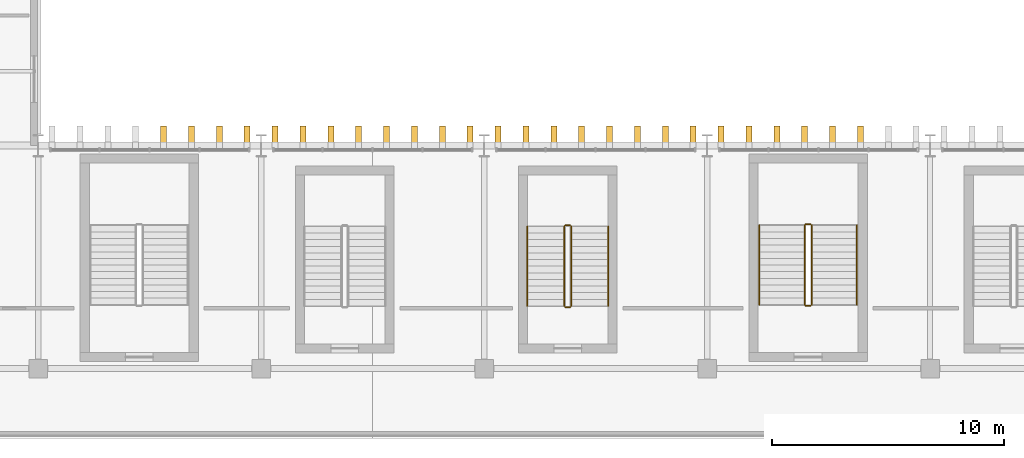
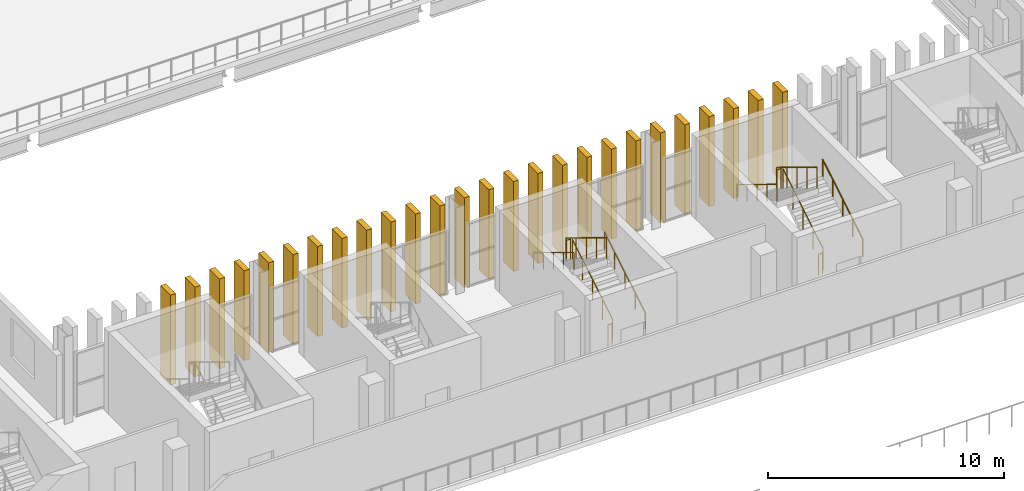
# One storey, part 69 of 75: 26 coverings, 12 railings.
"""IFC4 building model written with IfcOpenShell, lengths in metres."""

from ifc_helpers import new_model, si_unit, direction, frame, origin, origin_2d, place, context, subcontext, project, spatial, rectangle, circle, extrude, material, material_profile, profile_set, type_object, element, save


model = new_model("IFC4")

# Units and contexts
model_context = context("Model", 3, precision=1e-05, world=origin(), true_north=direction((0.0, 1.0)))
body_context = subcontext(model_context, "Body", "Model", "MODEL_VIEW")
ifc_project = project(units=[si_unit("LENGTHUNIT", "METRE"), si_unit("AREAUNIT", "SQUARE_METRE"), si_unit("VOLUMEUNIT", "CUBIC_METRE"), si_unit("PLANEANGLEUNIT", "RADIAN"), si_unit("MASSUNIT", "GRAM", prefix="KILO")], contexts=[model_context])

# Site, building, storey
site_placement = place(None, origin())
site = spatial("IfcSite", under=ifc_project, at=site_placement, CompositionType="ELEMENT")
building_placement = place(site_placement, origin())
building = spatial("IfcBuilding", under=site, at=building_placement, Name="Caelomonte Colonnade Arena", CompositionType="ELEMENT")
storey_placement = place(building_placement, frame((0.0, 0.0, 14.10009765625)))
storey = spatial("IfcBuildingStorey", under=building, at=storey_placement, Name="L03", CompositionType="ELEMENT", Elevation=14.10009765625)

# Coverings
ifc_material_1 = material(Name="Precast travertine cladding", Category="masonry")
ifc_material_profile = material_profile(ifc_material_1, rectangle(XDim=0.260009765625, YDim=0.85009765625, at=origin_2d()), Name="FIN260X850")
ifc_profile_set = profile_set([ifc_material_profile], Name="Precast travertine cladding")
covering_type = type_object("IfcCoveringType", Name="ENV-FN-SHAFT", PredefinedType="CLADDING", material=ifc_profile_set)
for number, where, z_axis, x_axis, name in (
    (1, (131.39990234375, 115.62109375, -0.16015625), (0.0, 0.0, 1.0), (1.0, 0.0, 0.0), "V1 L03 classical travertine vertical fin 102"),
    (2, (130.199951171875, 115.62109375, -0.16015625), (0.0, 0.0, 1.0), (1.0, 0.0, 0.0), "V1 L03 classical travertine vertical fin 103"),
    (3, (129.0, 115.62109375, -0.16015625), (0.0, 0.0, 1.0), (1.0, 0.0, 0.0), "V1 L03 classical travertine vertical fin 104"),
    (4, (127.800048828125, 115.62109375, -0.16015625), (0.0, 0.0, 1.0), (1.0, 0.0, 0.0), "V1 L03 classical travertine vertical fin 105"),
    (5, (126.60009765625, 115.62109375, -0.16015625), (0.0, 0.0, 1.0), (1.0, 0.0, 0.0), "V1 L03 classical travertine vertical fin 106"),
    (6, (125.39990234375, 115.62109375, -0.16015625), (0.0, 0.0, 1.0), (1.0, 0.0, 0.0), "V1 L03 classical travertine vertical fin 107"),
    (7, (124.199951171875, 115.62109375, -0.16015625), (0.0, 0.0, 1.0), (1.0, 0.0, 0.0), "V1 L03 classical travertine vertical fin 108"),
    (8, (123.0, 115.62109375, -0.16015625), (0.0, 0.0, 1.0), (1.0, 0.0, 0.0), "V1 L03 classical travertine vertical fin 109"),
    (9, (121.800048828125, 115.62109375, -0.16015625), (0.0, 0.0, 1.0), (1.0, 0.0, 0.0), "V1 L03 classical travertine vertical fin 110"),
    (10, (120.60009765625, 115.62109375, -0.16015625), (0.0, 0.0, 1.0), (1.0, 0.0, 0.0), "V1 L03 classical travertine vertical fin 111"),
    (11, (119.39990234375, 115.62109375, -0.16015625), (0.0, 0.0, 1.0), (1.0, 0.0, 0.0), "V1 L03 classical travertine vertical fin 112"),
    (12, (118.199951171875, 115.62109375, -0.16015625), (0.0, 0.0, 1.0), (1.0, 0.0, 0.0), "V1 L03 classical travertine vertical fin 113"),
    (13, (117.0, 115.62109375, -0.16015625), (0.0, 0.0, 1.0), (1.0, 0.0, 0.0), "V1 L03 classical travertine vertical fin 114"),
    (14, (115.800048828125, 115.62109375, -0.16015625), (0.0, 0.0, 1.0), (1.0, 0.0, 0.0), "V1 L03 classical travertine vertical fin 115"),
    (15, (114.60009765625, 115.62109375, -0.16015625), (0.0, 0.0, 1.0), (1.0, 0.0, 0.0), "V1 L03 classical travertine vertical fin 116"),
    (16, (113.39990234375, 115.62109375, -0.16015625), (0.0, 0.0, 1.0), (1.0, 0.0, 0.0), "V1 L03 classical travertine vertical fin 117"),
    (17, (112.199951171875, 115.62109375, -0.16015625), (0.0, 0.0, 1.0), (1.0, 0.0, 0.0), "V1 L03 classical travertine vertical fin 118"),
    (18, (111.0, 115.62109375, -0.16015625), (0.0, 0.0, 1.0), (1.0, 0.0, 0.0), "V1 L03 classical travertine vertical fin 119"),
    (19, (109.800048828125, 115.62109375, -0.16015625), (0.0, 0.0, 1.0), (1.0, 0.0, 0.0), "V1 L03 classical travertine vertical fin 120"),
    (20, (108.60009765625, 115.62109375, -0.16015625), (0.0, 0.0, 1.0), (1.0, 0.0, 0.0), "V1 L03 classical travertine vertical fin 121"),
    (21, (107.39990234375, 115.62109375, -0.16015625), (0.0, 0.0, 1.0), (1.0, 0.0, 0.0), "V1 L03 classical travertine vertical fin 122"),
    (22, (106.199951171875, 115.62109375, -0.16015625), (0.0, 0.0, 1.0), (1.0, 0.0, 0.0), "V1 L03 classical travertine vertical fin 123"),
    (23, (105.0, 115.62109375, -0.16015625), (0.0, 0.0, 1.0), (1.0, 0.0, 0.0), "V1 L03 classical travertine vertical fin 124"),
    (24, (103.800048828125, 115.62109375, -0.16015625), (0.0, 0.0, 1.0), (1.0, 0.0, 0.0), "V1 L03 classical travertine vertical fin 125"),
    (25, (102.60009765625, 115.62109375, -0.16015625), (0.0, 0.0, 1.0), (1.0, 0.0, 0.0), "V1 L03 classical travertine vertical fin 126"),
    (26, (101.39990234375, 115.62109375, -0.16015625), (0.0, 0.0, 1.0), (1.0, 0.0, 0.0), "V1 L03 classical travertine vertical fin 127"),
):
    element("IfcCovering", number, at=place(storey_placement, frame(where, z_axis=z_axis, x_axis=x_axis)), inside=storey, type_object=covering_type, Name=name, PredefinedType="CLADDING", context=body_context, shape_type="SweptSolid", body=[
        extrude(rectangle(XDim=0.260009765625, YDim=0.85009765625, at=origin_2d()), origin(), (0.0, 0.0, 1.0), 4.66015625),
    ])

# Railings
ifc_material_2 = material(Name="Painted galvanized steel stair guard", Category="steel")
railing_type_1 = type_object("IfcRailingType", Name="INT-RL-GRD", PredefinedType="GUARDRAIL", material=ifc_material_2)
railing_1_placement = place(storey_placement, frame((129.300048828125, 108.35009765625, 0.173095703125)))
element("IfcRailing", 27, at=railing_1_placement, inside=storey, type_object=railing_type_1, Name="L03 ST-16 stair guard 1", PredefinedType="GUARDRAIL", context=body_context, shape_type="SweptSolid", body=[
    extrude(circle(Radius=0.02392578125, at=origin_2d()), frame((0.0, 0.0, 1.076171875), z_axis=(0.0, 0.854729506542, 0.519073665916), x_axis=(-1.0, 0.0, 0.0)), (0.0, 0.0, 1.0), 4.001220703125),
    extrude(circle(Radius=0.02099609375, at=origin_2d()), origin(), (0.0, 0.0, 1.0), 1.048095703125),
    extrude(circle(Radius=0.02099609375, at=origin_2d()), frame((0.0, 0.85498046875, 0.519287109375)), (0.0, 0.0, 1.0), 1.048095703125),
    extrude(circle(Radius=0.02099609375, at=origin_2d()), frame((0.0, 1.7099609375, 1.03857421875)), (0.0, 0.0, 1.0), 1.048095703125),
    extrude(circle(Radius=0.02099609375, at=origin_2d()), frame((0.0, 2.56494140625, 1.5576171875)), (0.0, 0.0, 1.0), 1.048095703125),
    extrude(circle(Radius=0.02099609375, at=origin_2d()), frame((0.0, 3.419921875, 2.076904296875)), (0.0, 0.0, 1.0), 1.048095703125),
])
railing_2_placement = place(storey_placement, frame((129.25, 111.820068359375, 2.25)))
element("IfcRailing", 28, at=railing_2_placement, inside=storey, type_object=railing_type_1, Name="L03 ST-16 stair guard 2", PredefinedType="GUARDRAIL", context=body_context, shape_type="SweptSolid", body=[
    extrude(circle(Radius=0.02392578125, at=origin_2d()), frame((0.0, 0.0, 1.076171875), z_axis=(-1.0, 0.0, 0.0), x_axis=(0.0, -1.0, 0.0)), (0.0, 0.0, 1.0), 0.199951171875),
    extrude(circle(Radius=0.02099609375, at=origin_2d()), origin(), (0.0, 0.0, 1.0), 1.048095703125),
    extrude(circle(Radius=0.02099609375, at=origin_2d()), frame((-0.199951171875, 0.0, 0.0)), (0.0, 0.0, 1.0), 1.048095703125),
])
railing_3_placement = place(storey_placement, frame((129.0, 111.77001953125, 2.423095703125)))
element("IfcRailing", 29, at=railing_3_placement, inside=storey, type_object=railing_type_1, Name="L03 ST-16 stair guard 3", PredefinedType="GUARDRAIL", context=body_context, shape_type="SweptSolid", body=[
    extrude(circle(Radius=0.02392578125, at=origin_2d()), frame((0.0, 0.0, 1.076171875), z_axis=(0.0, -0.854729506542, 0.519073665916), x_axis=(1.0, 0.0, 0.0)), (0.0, 0.0, 1.0), 4.001220703125),
    extrude(circle(Radius=0.02099609375, at=origin_2d()), origin(), (0.0, 0.0, 1.0), 1.048095703125),
    extrude(circle(Radius=0.02099609375, at=origin_2d()), frame((0.0, -0.85498046875, 0.519287109375)), (0.0, 0.0, 1.0), 1.048095703125),
    extrude(circle(Radius=0.02099609375, at=origin_2d()), frame((0.0, -1.7099609375, 1.03857421875)), (0.0, 0.0, 1.0), 1.048095703125),
    extrude(circle(Radius=0.02099609375, at=origin_2d()), frame((0.0, -2.56494140625, 1.5576171875)), (0.0, 0.0, 1.0), 1.048095703125),
    extrude(circle(Radius=0.02099609375, at=origin_2d()), frame((0.0, -3.419921875, 2.076904296875)), (0.0, 0.0, 1.0), 1.048095703125),
])
railing_4_placement = place(storey_placement, frame((129.25, 108.300048828125, 0.0)))
element("IfcRailing", 30, at=railing_4_placement, inside=storey, type_object=railing_type_1, Name="L03 ST-16 stair guard 4", PredefinedType="GUARDRAIL", context=body_context, shape_type="SweptSolid", body=[
    extrude(circle(Radius=0.02392578125, at=origin_2d()), frame((0.0, 0.0, 1.076171875), z_axis=(-1.0, 0.0, 0.0), x_axis=(0.0, -1.0, 0.0)), (0.0, 0.0, 1.0), 0.199951171875),
    extrude(circle(Radius=0.02099609375, at=origin_2d()), origin(), (0.0, 0.0, 1.0), 1.048095703125),
    extrude(circle(Radius=0.02099609375, at=origin_2d()), frame((-0.199951171875, 0.0, 0.0)), (0.0, 0.0, 1.0), 1.048095703125),
])
railing_5_placement = place(storey_placement, frame((118.949951171875, 108.300048828125, 0.173095703125)))
element("IfcRailing", 31, at=railing_5_placement, inside=storey, type_object=railing_type_1, Name="L03 ST-V15 stair guard 1", PredefinedType="GUARDRAIL", context=body_context, shape_type="SweptSolid", body=[
    extrude(circle(Radius=0.02392578125, at=origin_2d()), frame((0.0, 0.0, 1.076171875), z_axis=(0.0, 0.854729506542, 0.519073665916), x_axis=(-1.0, 0.0, 0.0)), (0.0, 0.0, 1.0), 4.001220703125),
    extrude(circle(Radius=0.02099609375, at=origin_2d()), origin(), (0.0, 0.0, 1.0), 1.048095703125),
    extrude(circle(Radius=0.02099609375, at=origin_2d()), frame((0.0, 0.85498046875, 0.519287109375)), (0.0, 0.0, 1.0), 1.048095703125),
    extrude(circle(Radius=0.02099609375, at=origin_2d()), frame((0.0, 1.7099609375, 1.03857421875)), (0.0, 0.0, 1.0), 1.048095703125),
    extrude(circle(Radius=0.02099609375, at=origin_2d()), frame((0.0, 2.56494140625, 1.5576171875)), (0.0, 0.0, 1.0), 1.048095703125),
    extrude(circle(Radius=0.02099609375, at=origin_2d()), frame((0.0, 3.419921875, 2.076904296875)), (0.0, 0.0, 1.0), 1.048095703125),
])
railing_6_placement = place(storey_placement, frame((118.89990234375, 111.77001953125, 2.25)))
element("IfcRailing", 32, at=railing_6_placement, inside=storey, type_object=railing_type_1, Name="L03 ST-V15 stair guard 2", PredefinedType="GUARDRAIL", context=body_context, shape_type="SweptSolid", body=[
    extrude(circle(Radius=0.02392578125, at=origin_2d()), frame((0.0, 0.0, 1.076171875), z_axis=(-1.0, 0.0, 0.0), x_axis=(0.0, -1.0, 0.0)), (0.0, 0.0, 1.0), 0.199951171875),
    extrude(circle(Radius=0.02099609375, at=origin_2d()), origin(), (0.0, 0.0, 1.0), 1.048095703125),
    extrude(circle(Radius=0.02099609375, at=origin_2d()), frame((-0.199951171875, 0.0, 0.0)), (0.0, 0.0, 1.0), 1.048095703125),
])
railing_7_placement = place(storey_placement, frame((118.64990234375, 111.719970703125, 2.423095703125)))
element("IfcRailing", 33, at=railing_7_placement, inside=storey, type_object=railing_type_1, Name="L03 ST-V15 stair guard 3", PredefinedType="GUARDRAIL", context=body_context, shape_type="SweptSolid", body=[
    extrude(circle(Radius=0.02392578125, at=origin_2d()), frame((0.0, 0.0, 1.076171875), z_axis=(0.0, -0.854729506542, 0.519073665916), x_axis=(1.0, 0.0, 0.0)), (0.0, 0.0, 1.0), 4.001220703125),
    extrude(circle(Radius=0.02099609375, at=origin_2d()), origin(), (0.0, 0.0, 1.0), 1.048095703125),
    extrude(circle(Radius=0.02099609375, at=origin_2d()), frame((0.0, -0.85498046875, 0.519287109375)), (0.0, 0.0, 1.0), 1.048095703125),
    extrude(circle(Radius=0.02099609375, at=origin_2d()), frame((0.0, -1.7099609375, 1.03857421875)), (0.0, 0.0, 1.0), 1.048095703125),
    extrude(circle(Radius=0.02099609375, at=origin_2d()), frame((0.0, -2.56494140625, 1.5576171875)), (0.0, 0.0, 1.0), 1.048095703125),
    extrude(circle(Radius=0.02099609375, at=origin_2d()), frame((0.0, -3.419921875, 2.076904296875)), (0.0, 0.0, 1.0), 1.048095703125),
])
railing_8_placement = place(storey_placement, frame((118.89990234375, 108.25, 0.0)))
element("IfcRailing", 34, at=railing_8_placement, inside=storey, type_object=railing_type_1, Name="L03 ST-V15 stair guard 4", PredefinedType="GUARDRAIL", context=body_context, shape_type="SweptSolid", body=[
    extrude(circle(Radius=0.02392578125, at=origin_2d()), frame((0.0, 0.0, 1.076171875), z_axis=(-1.0, 0.0, 0.0), x_axis=(0.0, -1.0, 0.0)), (0.0, 0.0, 1.0), 0.199951171875),
    extrude(circle(Radius=0.02099609375, at=origin_2d()), origin(), (0.0, 0.0, 1.0), 1.048095703125),
    extrude(circle(Radius=0.02099609375, at=origin_2d()), frame((-0.199951171875, 0.0, 0.0)), (0.0, 0.0, 1.0), 1.048095703125),
])
ifc_material_3 = material(Name="Brushed stainless steel stair handrail", Category="steel")
railing_type_2 = type_object("IfcRailingType", Name="INT-RL-HR", PredefinedType="HANDRAIL", material=ifc_material_3)
railing_9_placement = place(storey_placement, frame((131.25, 108.35009765625, 0.173095703125)))
element("IfcRailing", 35, at=railing_9_placement, inside=storey, type_object=railing_type_2, Name="L03 ST-16 stair handrail 1", PredefinedType="HANDRAIL", context=body_context, shape_type="SweptSolid", body=[
    extrude(circle(Radius=0.02392578125, at=origin_2d()), frame((0.0, 0.0, 0.8759765625), z_axis=(0.0, 0.854729506542, 0.519073665916), x_axis=(-1.0, 0.0, 0.0)), (0.0, 0.0, 1.0), 4.001220703125),
    extrude(circle(Radius=0.02099609375, at=origin_2d()), origin(), (0.0, 0.0, 1.0), 0.847900390625),
    extrude(circle(Radius=0.02099609375, at=origin_2d()), frame((0.0, 0.85498046875, 0.519287109375)), (0.0, 0.0, 1.0), 0.847900390625),
    extrude(circle(Radius=0.02099609375, at=origin_2d()), frame((0.0, 1.7099609375, 1.03857421875)), (0.0, 0.0, 1.0), 0.847900390625),
    extrude(circle(Radius=0.02099609375, at=origin_2d()), frame((0.0, 2.56494140625, 1.5576171875)), (0.0, 0.0, 1.0), 0.847900390625),
    extrude(circle(Radius=0.02099609375, at=origin_2d()), frame((0.0, 3.419921875, 2.076904296875)), (0.0, 0.0, 1.0), 0.847900390625),
])
railing_10_placement = place(storey_placement, frame((127.050048828125, 111.77001953125, 2.423095703125)))
element("IfcRailing", 36, at=railing_10_placement, inside=storey, type_object=railing_type_2, Name="L03 ST-16 stair handrail 2", PredefinedType="HANDRAIL", context=body_context, shape_type="SweptSolid", body=[
    extrude(circle(Radius=0.02392578125, at=origin_2d()), frame((0.0, 0.0, 0.8759765625), z_axis=(0.0, -0.854729506542, 0.519073665916), x_axis=(1.0, 0.0, 0.0)), (0.0, 0.0, 1.0), 4.001220703125),
    extrude(circle(Radius=0.02099609375, at=origin_2d()), origin(), (0.0, 0.0, 1.0), 0.847900390625),
    extrude(circle(Radius=0.02099609375, at=origin_2d()), frame((0.0, -0.85498046875, 0.519287109375)), (0.0, 0.0, 1.0), 0.847900390625),
    extrude(circle(Radius=0.02099609375, at=origin_2d()), frame((0.0, -1.7099609375, 1.03857421875)), (0.0, 0.0, 1.0), 0.847900390625),
    extrude(circle(Radius=0.02099609375, at=origin_2d()), frame((0.0, -2.56494140625, 1.5576171875)), (0.0, 0.0, 1.0), 0.847900390625),
    extrude(circle(Radius=0.02099609375, at=origin_2d()), frame((0.0, -3.419921875, 2.076904296875)), (0.0, 0.0, 1.0), 0.847900390625),
])
railing_11_placement = place(storey_placement, frame((120.550048828125, 108.300048828125, 0.173095703125)))
element("IfcRailing", 37, at=railing_11_placement, inside=storey, type_object=railing_type_2, Name="L03 ST-V15 stair handrail 1", PredefinedType="HANDRAIL", context=body_context, shape_type="SweptSolid", body=[
    extrude(circle(Radius=0.02392578125, at=origin_2d()), frame((0.0, 0.0, 0.8759765625), z_axis=(0.0, 0.854729506542, 0.519073665916), x_axis=(-1.0, 0.0, 0.0)), (0.0, 0.0, 1.0), 4.001220703125),
    extrude(circle(Radius=0.02099609375, at=origin_2d()), origin(), (0.0, 0.0, 1.0), 0.847900390625),
    extrude(circle(Radius=0.02099609375, at=origin_2d()), frame((0.0, 0.85498046875, 0.519287109375)), (0.0, 0.0, 1.0), 0.847900390625),
    extrude(circle(Radius=0.02099609375, at=origin_2d()), frame((0.0, 1.7099609375, 1.03857421875)), (0.0, 0.0, 1.0), 0.847900390625),
    extrude(circle(Radius=0.02099609375, at=origin_2d()), frame((0.0, 2.56494140625, 1.5576171875)), (0.0, 0.0, 1.0), 0.847900390625),
    extrude(circle(Radius=0.02099609375, at=origin_2d()), frame((0.0, 3.419921875, 2.076904296875)), (0.0, 0.0, 1.0), 0.847900390625),
])
railing_12_placement = place(storey_placement, frame((117.050048828125, 111.719970703125, 2.423095703125)))
element("IfcRailing", 38, at=railing_12_placement, inside=storey, type_object=railing_type_2, Name="L03 ST-V15 stair handrail 2", PredefinedType="HANDRAIL", context=body_context, shape_type="SweptSolid", body=[
    extrude(circle(Radius=0.02392578125, at=origin_2d()), frame((0.0, 0.0, 0.8759765625), z_axis=(0.0, -0.854729506542, 0.519073665916), x_axis=(1.0, 0.0, 0.0)), (0.0, 0.0, 1.0), 4.001220703125),
    extrude(circle(Radius=0.02099609375, at=origin_2d()), origin(), (0.0, 0.0, 1.0), 0.847900390625),
    extrude(circle(Radius=0.02099609375, at=origin_2d()), frame((0.0, -0.85498046875, 0.519287109375)), (0.0, 0.0, 1.0), 0.847900390625),
    extrude(circle(Radius=0.02099609375, at=origin_2d()), frame((0.0, -1.7099609375, 1.03857421875)), (0.0, 0.0, 1.0), 0.847900390625),
    extrude(circle(Radius=0.02099609375, at=origin_2d()), frame((0.0, -2.56494140625, 1.5576171875)), (0.0, 0.0, 1.0), 0.847900390625),
    extrude(circle(Radius=0.02099609375, at=origin_2d()), frame((0.0, -3.419921875, 2.076904296875)), (0.0, 0.0, 1.0), 0.847900390625),
])

save(model, "model.ifc")
